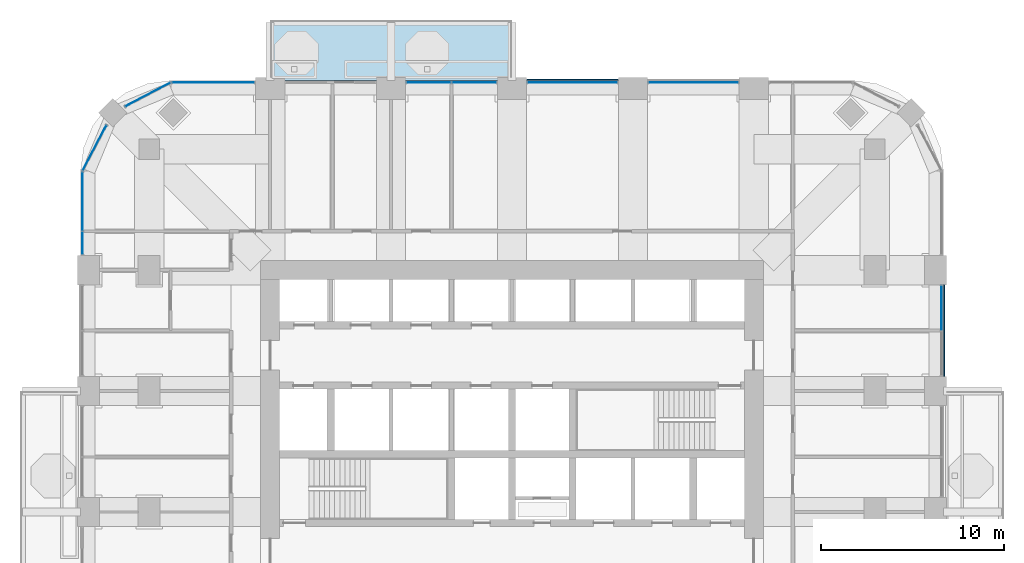
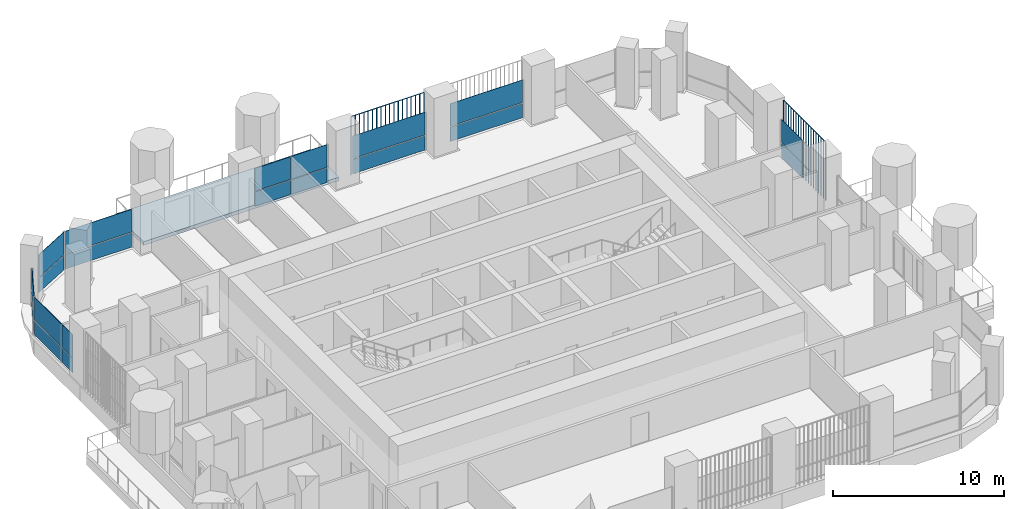
# One storey, part 10 of 20: 22 plates, 1 slab, 8 elements without a shape of their own.
"""IFC4 building model written with IfcOpenShell, lengths in metres."""

from ifc_helpers import new_model, si_unit, direction, frame, origin, origin_2d, place, context, subcontext, project, spatial, polyline, rectangle, outline, extrude, material, layer, layer_set, type_object, element, aggregate, save


model = new_model("IFC4")

# Units and contexts
model_context = context("Model", 3, precision=1e-05, world=origin(), true_north=direction((0.0, 1.0)))
body_context = subcontext(model_context, "Body", "Model", "MODEL_VIEW")
ifc_project = project(units=[si_unit("LENGTHUNIT", "METRE"), si_unit("AREAUNIT", "SQUARE_METRE"), si_unit("VOLUMEUNIT", "CUBIC_METRE"), si_unit("PLANEANGLEUNIT", "RADIAN"), si_unit("MASSUNIT", "GRAM", prefix="KILO")], contexts=[model_context])

# Site, building, storey
site_placement = place(None, origin())
site = spatial("IfcSite", under=ifc_project, at=site_placement, CompositionType="ELEMENT")
building_placement = place(site_placement, origin())
building = spatial("IfcBuilding", under=site, at=building_placement, Name="Cobogo Forest Laboratory Tower", CompositionType="ELEMENT")
storey_placement = place(building_placement, frame((0.0, 0.0, 201.89990234375)))
storey = spatial("IfcBuildingStorey", under=building, at=storey_placement, Name="L46", CompositionType="ELEMENT", Elevation=201.89990234375)

# Slab
ifc_material_1 = material(Name="Concrete HA-40 (C40/50)", Category="concrete")
ifc_layer_1 = layer(ifc_material_1, 0.25)
ifc_layer_set_1 = layer_set([ifc_layer_1], Name="Balcony slab 250")
slab_type = type_object("IfcSlabType", Name="Balcony slab 250", PredefinedType="FLOOR", material=ifc_layer_set_1)
slab_placement = place(storey_placement, frame((0.0, 0.0, -0.25)))
element("IfcSlab", 1, at=slab_placement, inside=storey, type_object=slab_type, Name="Balcony BAL-N1 L46", PredefinedType="FLOOR", context=body_context, shape_type="SweptSolid", body=[
    extrude(outline(polyline([(13.199951171875, 43.35009765625), (26.39990234375, 43.35009765625), (26.39990234375, 46.64990234375), (13.199951171875, 46.64990234375), (13.199951171875, 43.35009765625)])), origin(), (0.0, 0.0, 1.0), 0.25),
])

# Curtain wall, plates
ifc_material_2 = material(Name="Aluminium curtain wall", Category="aluminium")
curtain_wall_type = type_object("IfcCurtainWallType", Name="CW-2 unitised curtain wall, solar control glazing, laboratory floors zones C and D", PredefinedType="USERDEFINED", material=ifc_material_2)
curtain_wall_1_placement = place(storey_placement, origin())
curtain_wall_1 = element("IfcCurtainWall", 2, at=curtain_wall_1_placement, inside=storey, type_object=curtain_wall_type, Name="Curtain wall 12 L46", ObjectType="UNITISED CURTAIN WALL", PredefinedType="USERDEFINED")
ifc_material_3 = material(Name="Solar control insulated glass", Category="glass")
ifc_layer_2 = layer(ifc_material_3, 0.031982421875)
ifc_layer_set_2 = layer_set([ifc_layer_2], Name="GP-2 solar control glass unit 32")
plate_type_1 = type_object("IfcPlateType", Name="GP-2 solar control glass unit 32", PredefinedType="CURTAIN_PANEL", material=ifc_layer_set_2)
plate_1_placement = place(storey_placement, frame((49.85009765625, 30.93505859375, 0.0), z_axis=(0.0, 0.0, 1.0), x_axis=(0.0, 1.0, 0.0)))
plate_1 = element("IfcPlate", 3, at=plate_1_placement, type_object=plate_type_1, Name="CW-2 panel 2.1", PredefinedType="CURTAIN_PANEL", context=body_context, shape_type="SweptSolid", body=[
    extrude(rectangle(XDim=2.409912109375, YDim=0.031982421875, at=origin_2d()), origin(), (0.0, 0.0, 1.0), 1.02001953125),
])
plate_2_placement = place(storey_placement, frame((49.85009765625, 30.93505859375, 1.080078125), z_axis=(0.0, 0.0, 1.0), x_axis=(0.0, 1.0, 0.0)))
plate_2 = element("IfcPlate", 4, at=plate_2_placement, type_object=plate_type_1, Name="CW-2 panel 2.2", PredefinedType="CURTAIN_PANEL", context=body_context, shape_type="SweptSolid", body=[
    extrude(rectangle(XDim=2.409912109375, YDim=0.031982421875, at=origin_2d()), origin(), (0.0, 0.0, 1.0), 1.6201171875),
])
aggregate(curtain_wall_1, [plate_1, plate_2])

curtain_wall_2_placement = place(storey_placement, origin())
curtain_wall_2 = element("IfcCurtainWall", 5, at=curtain_wall_2_placement, inside=storey, type_object=curtain_wall_type, Name="Curtain wall 17 L46", ObjectType="UNITISED CURTAIN WALL", PredefinedType="USERDEFINED")
plate_3_placement = place(storey_placement, frame((36.300048828125, 43.25, 0.0), z_axis=(0.0, 0.0, 1.0), x_axis=(-1.0, 0.0, 0.0)))
plate_3 = element("IfcPlate", 6, at=plate_3_placement, type_object=plate_type_1, Name="CW-2 panel 1.1", PredefinedType="CURTAIN_PANEL", context=body_context, shape_type="SweptSolid", body=[
    extrude(rectangle(XDim=4.8798828125, YDim=0.031982421875, at=origin_2d()), origin(), (0.0, 0.0, 1.0), 1.02001953125),
])
plate_4_placement = place(storey_placement, frame((36.300048828125, 43.25, 1.080078125), z_axis=(0.0, 0.0, 1.0), x_axis=(-1.0, 0.0, 0.0)))
plate_4 = element("IfcPlate", 7, at=plate_4_placement, type_object=plate_type_1, Name="CW-2 panel 1.2", PredefinedType="CURTAIN_PANEL", context=body_context, shape_type="SweptSolid", body=[
    extrude(rectangle(XDim=4.8798828125, YDim=0.031982421875, at=origin_2d()), origin(), (0.0, 0.0, 1.0), 1.6201171875),
])
aggregate(curtain_wall_2, [plate_3, plate_4])

curtain_wall_3_placement = place(storey_placement, origin())
curtain_wall_3 = element("IfcCurtainWall", 8, at=curtain_wall_3_placement, inside=storey, type_object=curtain_wall_type, Name="Curtain wall 18 L46", ObjectType="UNITISED CURTAIN WALL", PredefinedType="USERDEFINED")
plate_5_placement = place(storey_placement, frame((29.699951171875, 43.25, 0.0), z_axis=(0.0, 0.0, 1.0), x_axis=(-1.0, 0.0, 0.0)))
plate_5 = element("IfcPlate", 9, at=plate_5_placement, type_object=plate_type_1, Name="CW-2 panel 1.1", PredefinedType="CURTAIN_PANEL", context=body_context, shape_type="SweptSolid", body=[
    extrude(rectangle(XDim=4.8798828125, YDim=0.031982421875, at=origin_2d()), origin(), (0.0, 0.0, 1.0), 1.02001953125),
])
plate_6_placement = place(storey_placement, frame((29.699951171875, 43.25, 1.080078125), z_axis=(0.0, 0.0, 1.0), x_axis=(-1.0, 0.0, 0.0)))
plate_6 = element("IfcPlate", 10, at=plate_6_placement, type_object=plate_type_1, Name="CW-2 panel 1.2", PredefinedType="CURTAIN_PANEL", context=body_context, shape_type="SweptSolid", body=[
    extrude(rectangle(XDim=4.8798828125, YDim=0.031982421875, at=origin_2d()), origin(), (0.0, 0.0, 1.0), 1.6201171875),
])
aggregate(curtain_wall_3, [plate_5, plate_6])

curtain_wall_4_placement = place(storey_placement, origin())
curtain_wall_4 = element("IfcCurtainWall", 11, at=curtain_wall_4_placement, inside=storey, type_object=curtain_wall_type, Name="Curtain wall 19 L46", ObjectType="UNITISED CURTAIN WALL", PredefinedType="USERDEFINED")
plate_7_placement = place(storey_placement, frame((24.3349609375, 43.25, 0.0), z_axis=(0.0, 0.0, 1.0), x_axis=(-1.0, 0.0, 0.0)))
plate_7 = element("IfcPlate", 12, at=plate_7_placement, type_object=plate_type_1, Name="CW-2 panel 1.1", PredefinedType="CURTAIN_PANEL", context=body_context, shape_type="SweptSolid", body=[
    extrude(rectangle(XDim=2.409912109375, YDim=0.031982421875, at=origin_2d()), origin(), (0.0, 0.0, 1.0), 1.02001953125),
])
plate_8_placement = place(storey_placement, frame((24.3349609375, 43.25, 1.080078125), z_axis=(0.0, 0.0, 1.0), x_axis=(-1.0, 0.0, 0.0)))
plate_8 = element("IfcPlate", 13, at=plate_8_placement, type_object=plate_type_1, Name="CW-2 panel 1.2", PredefinedType="CURTAIN_PANEL", context=body_context, shape_type="SweptSolid", body=[
    extrude(rectangle(XDim=2.409912109375, YDim=0.031982421875, at=origin_2d()), origin(), (0.0, 0.0, 1.0), 1.6201171875),
])
plate_9_placement = place(storey_placement, frame((21.864990234375, 43.25, 0.0), z_axis=(0.0, 0.0, 1.0), x_axis=(-1.0, 0.0, 0.0)))
plate_9 = element("IfcPlate", 14, at=plate_9_placement, type_object=plate_type_1, Name="CW-2 panel 2.1", PredefinedType="CURTAIN_PANEL", context=body_context, shape_type="SweptSolid", body=[
    extrude(rectangle(XDim=2.409912109375, YDim=0.031982421875, at=origin_2d()), origin(), (0.0, 0.0, 1.0), 1.02001953125),
])
plate_10_placement = place(storey_placement, frame((21.864990234375, 43.25, 1.080078125), z_axis=(0.0, 0.0, 1.0), x_axis=(-1.0, 0.0, 0.0)))
plate_10 = element("IfcPlate", 15, at=plate_10_placement, type_object=plate_type_1, Name="CW-2 panel 2.2", PredefinedType="CURTAIN_PANEL", context=body_context, shape_type="SweptSolid", body=[
    extrude(rectangle(XDim=2.409912109375, YDim=0.031982421875, at=origin_2d()), origin(), (0.0, 0.0, 1.0), 1.6201171875),
])
aggregate(curtain_wall_4, [plate_7, plate_8, plate_9, plate_10])

curtain_wall_5_placement = place(storey_placement, origin())
curtain_wall_5 = element("IfcCurtainWall", 16, at=curtain_wall_5_placement, inside=storey, type_object=curtain_wall_type, Name="Curtain wall 21 L46", ObjectType="UNITISED CURTAIN WALL", PredefinedType="USERDEFINED")
plate_11_placement = place(storey_placement, frame((10.10009765625, 43.25, 0.0), z_axis=(0.0, 0.0, 1.0), x_axis=(-1.0, 0.0, 0.0)))
plate_11 = element("IfcPlate", 17, at=plate_11_placement, type_object=plate_type_1, Name="CW-2 panel 1.1", PredefinedType="CURTAIN_PANEL", context=body_context, shape_type="SweptSolid", body=[
    extrude(rectangle(XDim=4.47998046875, YDim=0.031982421875, at=origin_2d()), origin(), (0.0, 0.0, 1.0), 1.02001953125),
])
plate_12_placement = place(storey_placement, frame((10.10009765625, 43.25, 1.080078125), z_axis=(0.0, 0.0, 1.0), x_axis=(-1.0, 0.0, 0.0)))
plate_12 = element("IfcPlate", 18, at=plate_12_placement, type_object=plate_type_1, Name="CW-2 panel 1.2", PredefinedType="CURTAIN_PANEL", context=body_context, shape_type="SweptSolid", body=[
    extrude(rectangle(XDim=4.47998046875, YDim=0.031982421875, at=origin_2d()), origin(), (0.0, 0.0, 1.0), 1.6201171875),
])
aggregate(curtain_wall_5, [plate_11, plate_12])

curtain_wall_6_placement = place(storey_placement, origin())
curtain_wall_6 = element("IfcCurtainWall", 19, at=curtain_wall_6_placement, inside=storey, type_object=curtain_wall_type, Name="Curtain wall 22 L46", ObjectType="UNITISED CURTAIN WALL", PredefinedType="USERDEFINED")
plate_13_placement = place(storey_placement, frame((6.5244140625, 42.581298828125, 0.0), z_axis=(0.0, 0.0, 1.0), x_axis=(-0.885686484356, -0.464283804832, 0.0)))
plate_13 = element("IfcPlate", 20, at=plate_13_placement, type_object=plate_type_1, Name="CW-2 panel 1.1", PredefinedType="CURTAIN_PANEL", context=body_context, shape_type="SweptSolid", body=[
    extrude(rectangle(XDim=2.76025390625, YDim=0.031982421875, at=origin_2d()), origin(), (0.0, 0.0, 1.0), 1.02001953125),
])
plate_14_placement = place(storey_placement, frame((6.5244140625, 42.581298828125, 1.080078125), z_axis=(0.0, 0.0, 1.0), x_axis=(-0.885686484356, -0.464283804832, 0.0)))
plate_14 = element("IfcPlate", 21, at=plate_14_placement, type_object=plate_type_1, Name="CW-2 panel 1.2", PredefinedType="CURTAIN_PANEL", context=body_context, shape_type="SweptSolid", body=[
    extrude(rectangle(XDim=2.76025390625, YDim=0.031982421875, at=origin_2d()), origin(), (0.0, 0.0, 1.0), 1.6201171875),
])
aggregate(curtain_wall_6, [plate_13, plate_14])

curtain_wall_7_placement = place(storey_placement, origin())
curtain_wall_7 = element("IfcCurtainWall", 22, at=curtain_wall_7_placement, inside=storey, type_object=curtain_wall_type, Name="Curtain wall 23 L46", ObjectType="UNITISED CURTAIN WALL", PredefinedType="USERDEFINED")
plate_15_placement = place(storey_placement, frame((3.61865234375, 39.675537109375, 0.0), z_axis=(0.0, 0.0, 1.0), x_axis=(-0.464283804832, -0.885686484356, 0.0)))
plate_15 = element("IfcPlate", 23, at=plate_15_placement, type_object=plate_type_1, Name="CW-2 panel 1.1", PredefinedType="CURTAIN_PANEL", context=body_context, shape_type="SweptSolid", body=[
    extrude(rectangle(XDim=2.76025390625, YDim=0.031982421875, at=origin_2d()), origin(), (0.0, 0.0, 1.0), 1.02001953125),
])
plate_16_placement = place(storey_placement, frame((3.61865234375, 39.675537109375, 1.080078125), z_axis=(0.0, 0.0, 1.0), x_axis=(-0.464283804832, -0.885686484356, 0.0)))
plate_16 = element("IfcPlate", 24, at=plate_16_placement, type_object=plate_type_1, Name="CW-2 panel 1.2", PredefinedType="CURTAIN_PANEL", context=body_context, shape_type="SweptSolid", body=[
    extrude(rectangle(XDim=2.76025390625, YDim=0.031982421875, at=origin_2d()), origin(), (0.0, 0.0, 1.0), 1.6201171875),
])
aggregate(curtain_wall_7, [plate_15, plate_16])

curtain_wall_8_placement = place(storey_placement, origin())
curtain_wall_8 = element("IfcCurtainWall", 25, at=curtain_wall_8_placement, inside=storey, type_object=curtain_wall_type, Name="Curtain wall 24 L46", ObjectType="UNITISED CURTAIN WALL", PredefinedType="USERDEFINED")
plate_17_placement = place(storey_placement, frame((2.949951171875, 36.74755859375, 0.0), z_axis=(0.0, 0.0, 1.0), x_axis=(0.0, -1.0, 0.0)))
plate_17 = element("IfcPlate", 26, at=plate_17_placement, type_object=plate_type_1, Name="CW-2 panel 1.1", PredefinedType="CURTAIN_PANEL", context=body_context, shape_type="SweptSolid", body=[
    extrude(rectangle(XDim=3.18505859375, YDim=0.031982421875, at=origin_2d()), origin(), (0.0, 0.0, 1.0), 1.02001953125),
])
plate_18_placement = place(storey_placement, frame((2.949951171875, 36.74755859375, 1.080078125), z_axis=(0.0, 0.0, 1.0), x_axis=(0.0, -1.0, 0.0)))
plate_18 = element("IfcPlate", 27, at=plate_18_placement, type_object=plate_type_1, Name="CW-2 panel 1.2", PredefinedType="CURTAIN_PANEL", context=body_context, shape_type="SweptSolid", body=[
    extrude(rectangle(XDim=3.18505859375, YDim=0.031982421875, at=origin_2d()), origin(), (0.0, 0.0, 1.0), 1.6201171875),
])
plate_19_placement = place(storey_placement, frame((2.949951171875, 34.4775390625, 0.0), z_axis=(0.0, 0.0, 1.0), x_axis=(0.0, -1.0, 0.0)))
plate_19 = element("IfcPlate", 28, at=plate_19_placement, type_object=plate_type_1, Name="CW-2 panel 2.1", PredefinedType="CURTAIN_PANEL", context=body_context, shape_type="SweptSolid", body=[
    extrude(rectangle(XDim=1.235107421875, YDim=0.031982421875, at=origin_2d()), origin(), (0.0, 0.0, 1.0), 1.02001953125),
])
plate_20_placement = place(storey_placement, frame((2.949951171875, 34.4775390625, 1.080078125), z_axis=(0.0, 0.0, 1.0), x_axis=(0.0, -1.0, 0.0)))
plate_20 = element("IfcPlate", 29, at=plate_20_placement, type_object=plate_type_1, Name="CW-2 panel 2.2", PredefinedType="CURTAIN_PANEL", context=body_context, shape_type="SweptSolid", body=[
    extrude(rectangle(XDim=1.235107421875, YDim=0.031982421875, at=origin_2d()), origin(), (0.0, 0.0, 1.0), 1.6201171875),
])
aggregate(curtain_wall_8, [plate_17, plate_18, plate_19, plate_20])

# Plates
ifc_material_4 = material(Name="Terracotta", Category="masonry")
plate_type_2 = type_object("IfcPlateType", Name="TB1 terracotta baguette screen", PredefinedType="USERDEFINED", material=ifc_material_4)
plate_21_placement = place(storey_placement, frame((49.977783203125, 27.231201171875, -0.14990234375)))
element("IfcPlate", 30, at=plate_21_placement, inside=storey, type_object=plate_type_2, Name="Baguette screen E3 L46", ObjectType="BAGUETTE SCREEN", PredefinedType="USERDEFINED", context=body_context, shape_type="SweptSolid", body=[
    extrude(outline(polyline([(0.02880859375, 0.011962890625), (0.011962890625, 0.02880859375), (-0.011962890625, 0.02880859375), (-0.02880859375, 0.011962890625), (-0.02880859375, -0.011962890625), (-0.011962890625, -0.02880859375), (0.011962890625, -0.02880859375), (0.02880859375, -0.011962890625), (0.02880859375, 0.011962890625)])), frame((0.0, 0.0, 4.168701171875), z_axis=(0.0, 1.0, 0.0), x_axis=(-1.0, 0.0, 0.0)), (0.0, 0.0, 1.0), 4.9375),
    extrude(outline(polyline([(0.02880859375, 0.011962890625), (0.011962890625, 0.02880859375), (-0.011962890625, 0.02880859375), (-0.02880859375, 0.011962890625), (-0.02880859375, -0.011962890625), (-0.011962890625, -0.02880859375), (0.011962890625, -0.02880859375), (0.02880859375, -0.011962890625), (0.02880859375, 0.011962890625)])), origin(), (0.0, 0.0, 1.0), 4.137451171875),
    extrude(outline(polyline([(0.02880859375, 0.011962890625), (0.011962890625, 0.02880859375), (-0.011962890625, 0.02880859375), (-0.02880859375, 0.011962890625), (-0.02880859375, -0.011962890625), (-0.011962890625, -0.02880859375), (0.011962890625, -0.02880859375), (0.02880859375, -0.011962890625), (0.02880859375, 0.011962890625)])), frame((0.0, 0.29052734375, 0.0)), (0.0, 0.0, 1.0), 4.137451171875),
    extrude(outline(polyline([(0.02880859375, 0.011962890625), (0.011962890625, 0.02880859375), (-0.011962890625, 0.02880859375), (-0.02880859375, 0.011962890625), (-0.02880859375, -0.011962890625), (-0.011962890625, -0.02880859375), (0.011962890625, -0.02880859375), (0.02880859375, -0.011962890625), (0.02880859375, 0.011962890625)])), frame((0.0, 0.580810546875, 0.0)), (0.0, 0.0, 1.0), 4.137451171875),
    extrude(outline(polyline([(0.02880859375, 0.011962890625), (0.011962890625, 0.02880859375), (-0.011962890625, 0.02880859375), (-0.02880859375, 0.011962890625), (-0.02880859375, -0.011962890625), (-0.011962890625, -0.02880859375), (0.011962890625, -0.02880859375), (0.02880859375, -0.011962890625), (0.02880859375, 0.011962890625)])), frame((0.0, 0.871337890625, 0.0)), (0.0, 0.0, 1.0), 4.137451171875),
    extrude(outline(polyline([(0.02880859375, 0.011962890625), (0.011962890625, 0.02880859375), (-0.011962890625, 0.02880859375), (-0.02880859375, 0.011962890625), (-0.02880859375, -0.011962890625), (-0.011962890625, -0.02880859375), (0.011962890625, -0.02880859375), (0.02880859375, -0.011962890625), (0.02880859375, 0.011962890625)])), frame((0.0, 1.161865234375, 0.0)), (0.0, 0.0, 1.0), 4.137451171875),
    extrude(outline(polyline([(0.02880859375, 0.011962890625), (0.011962890625, 0.02880859375), (-0.011962890625, 0.02880859375), (-0.02880859375, 0.011962890625), (-0.02880859375, -0.011962890625), (-0.011962890625, -0.02880859375), (0.011962890625, -0.02880859375), (0.02880859375, -0.011962890625), (0.02880859375, 0.011962890625)])), frame((0.0, 1.4521484375, 0.0)), (0.0, 0.0, 1.0), 4.137451171875),
    extrude(outline(polyline([(0.02880859375, 0.011962890625), (0.011962890625, 0.02880859375), (-0.011962890625, 0.02880859375), (-0.02880859375, 0.011962890625), (-0.02880859375, -0.011962890625), (-0.011962890625, -0.02880859375), (0.011962890625, -0.02880859375), (0.02880859375, -0.011962890625), (0.02880859375, 0.011962890625)])), frame((0.0, 1.74267578125, 0.0)), (0.0, 0.0, 1.0), 4.137451171875),
    extrude(outline(polyline([(0.02880859375, 0.011962890625), (0.011962890625, 0.02880859375), (-0.011962890625, 0.02880859375), (-0.02880859375, 0.011962890625), (-0.02880859375, -0.011962890625), (-0.011962890625, -0.02880859375), (0.011962890625, -0.02880859375), (0.02880859375, -0.011962890625), (0.02880859375, 0.011962890625)])), frame((0.0, 2.033203125, 0.0)), (0.0, 0.0, 1.0), 4.137451171875),
    extrude(outline(polyline([(0.02880859375, 0.011962890625), (0.011962890625, 0.02880859375), (-0.011962890625, 0.02880859375), (-0.02880859375, 0.011962890625), (-0.02880859375, -0.011962890625), (-0.011962890625, -0.02880859375), (0.011962890625, -0.02880859375), (0.02880859375, -0.011962890625), (0.02880859375, 0.011962890625)])), frame((0.0, 2.323486328125, 0.0)), (0.0, 0.0, 1.0), 4.137451171875),
    extrude(outline(polyline([(0.02880859375, 0.011962890625), (0.011962890625, 0.02880859375), (-0.011962890625, 0.02880859375), (-0.02880859375, 0.011962890625), (-0.02880859375, -0.011962890625), (-0.011962890625, -0.02880859375), (0.011962890625, -0.02880859375), (0.02880859375, -0.011962890625), (0.02880859375, 0.011962890625)])), frame((0.0, 2.614013671875, 0.0)), (0.0, 0.0, 1.0), 4.137451171875),
    extrude(outline(polyline([(0.02880859375, 0.011962890625), (0.011962890625, 0.02880859375), (-0.011962890625, 0.02880859375), (-0.02880859375, 0.011962890625), (-0.02880859375, -0.011962890625), (-0.011962890625, -0.02880859375), (0.011962890625, -0.02880859375), (0.02880859375, -0.011962890625), (0.02880859375, 0.011962890625)])), frame((0.0, 2.904296875, 0.0)), (0.0, 0.0, 1.0), 4.137451171875),
    extrude(outline(polyline([(0.02880859375, 0.011962890625), (0.011962890625, 0.02880859375), (-0.011962890625, 0.02880859375), (-0.02880859375, 0.011962890625), (-0.02880859375, -0.011962890625), (-0.011962890625, -0.02880859375), (0.011962890625, -0.02880859375), (0.02880859375, -0.011962890625), (0.02880859375, 0.011962890625)])), frame((0.0, 3.19482421875, 0.0)), (0.0, 0.0, 1.0), 4.137451171875),
    extrude(outline(polyline([(0.02880859375, 0.011962890625), (0.011962890625, 0.02880859375), (-0.011962890625, 0.02880859375), (-0.02880859375, 0.011962890625), (-0.02880859375, -0.011962890625), (-0.011962890625, -0.02880859375), (0.011962890625, -0.02880859375), (0.02880859375, -0.011962890625), (0.02880859375, 0.011962890625)])), frame((0.0, 3.4853515625, 0.0)), (0.0, 0.0, 1.0), 4.137451171875),
    extrude(outline(polyline([(0.02880859375, 0.011962890625), (0.011962890625, 0.02880859375), (-0.011962890625, 0.02880859375), (-0.02880859375, 0.011962890625), (-0.02880859375, -0.011962890625), (-0.011962890625, -0.02880859375), (0.011962890625, -0.02880859375), (0.02880859375, -0.011962890625), (0.02880859375, 0.011962890625)])), frame((0.0, 3.775634765625, 0.0)), (0.0, 0.0, 1.0), 4.137451171875),
    extrude(outline(polyline([(0.02880859375, 0.011962890625), (0.011962890625, 0.02880859375), (-0.011962890625, 0.02880859375), (-0.02880859375, 0.011962890625), (-0.02880859375, -0.011962890625), (-0.011962890625, -0.02880859375), (0.011962890625, -0.02880859375), (0.02880859375, -0.011962890625), (0.02880859375, 0.011962890625)])), frame((0.0, 4.066162109375, 0.0)), (0.0, 0.0, 1.0), 4.137451171875),
    extrude(outline(polyline([(0.02880859375, 0.011962890625), (0.011962890625, 0.02880859375), (-0.011962890625, 0.02880859375), (-0.02880859375, 0.011962890625), (-0.02880859375, -0.011962890625), (-0.011962890625, -0.02880859375), (0.011962890625, -0.02880859375), (0.02880859375, -0.011962890625), (0.02880859375, 0.011962890625)])), frame((0.0, 4.356689453125, 0.0)), (0.0, 0.0, 1.0), 4.137451171875),
    extrude(outline(polyline([(0.02880859375, 0.011962890625), (0.011962890625, 0.02880859375), (-0.011962890625, 0.02880859375), (-0.02880859375, 0.011962890625), (-0.02880859375, -0.011962890625), (-0.011962890625, -0.02880859375), (0.011962890625, -0.02880859375), (0.02880859375, -0.011962890625), (0.02880859375, 0.011962890625)])), frame((0.0, 4.64697265625, 0.0)), (0.0, 0.0, 1.0), 4.137451171875),
    extrude(outline(polyline([(0.02880859375, 0.011962890625), (0.011962890625, 0.02880859375), (-0.011962890625, 0.02880859375), (-0.02880859375, 0.011962890625), (-0.02880859375, -0.011962890625), (-0.011962890625, -0.02880859375), (0.011962890625, -0.02880859375), (0.02880859375, -0.011962890625), (0.02880859375, 0.011962890625)])), frame((0.0, 4.9375, 0.0)), (0.0, 0.0, 1.0), 4.137451171875),
])
plate_22_placement = place(storey_placement, frame((27.231201171875, 43.3779296875, -0.14990234375)))
element("IfcPlate", 31, at=plate_22_placement, inside=storey, type_object=plate_type_2, Name="Baguette screen N3 L46", ObjectType="BAGUETTE SCREEN", PredefinedType="USERDEFINED", context=body_context, shape_type="SweptSolid", body=[
    extrude(outline(polyline([(0.02880859375, 0.011962890625), (0.011962890625, 0.02880859375), (-0.011962890625, 0.02880859375), (-0.02880859375, 0.011962890625), (-0.02880859375, -0.011962890625), (-0.011962890625, -0.02880859375), (0.011962890625, -0.02880859375), (0.02880859375, -0.011962890625), (0.02880859375, 0.011962890625)])), frame((0.0, 0.0, 4.168701171875), z_axis=(1.0, 0.0, 0.0), x_axis=(0.0, 1.0, 0.0)), (0.0, 0.0, 1.0), 4.9375),
    extrude(outline(polyline([(0.02880859375, 0.011962890625), (0.011962890625, 0.02880859375), (-0.011962890625, 0.02880859375), (-0.02880859375, 0.011962890625), (-0.02880859375, -0.011962890625), (-0.011962890625, -0.02880859375), (0.011962890625, -0.02880859375), (0.02880859375, -0.011962890625), (0.02880859375, 0.011962890625)])), origin(), (0.0, 0.0, 1.0), 4.137451171875),
    extrude(outline(polyline([(0.02880859375, 0.011962890625), (0.011962890625, 0.02880859375), (-0.011962890625, 0.02880859375), (-0.02880859375, 0.011962890625), (-0.02880859375, -0.011962890625), (-0.011962890625, -0.02880859375), (0.011962890625, -0.02880859375), (0.02880859375, -0.011962890625), (0.02880859375, 0.011962890625)])), frame((0.29052734375, 0.0, 0.0)), (0.0, 0.0, 1.0), 4.137451171875),
    extrude(outline(polyline([(0.02880859375, 0.011962890625), (0.011962890625, 0.02880859375), (-0.011962890625, 0.02880859375), (-0.02880859375, 0.011962890625), (-0.02880859375, -0.011962890625), (-0.011962890625, -0.02880859375), (0.011962890625, -0.02880859375), (0.02880859375, -0.011962890625), (0.02880859375, 0.011962890625)])), frame((0.580810546875, 0.0, 0.0)), (0.0, 0.0, 1.0), 4.137451171875),
    extrude(outline(polyline([(0.02880859375, 0.011962890625), (0.011962890625, 0.02880859375), (-0.011962890625, 0.02880859375), (-0.02880859375, 0.011962890625), (-0.02880859375, -0.011962890625), (-0.011962890625, -0.02880859375), (0.011962890625, -0.02880859375), (0.02880859375, -0.011962890625), (0.02880859375, 0.011962890625)])), frame((0.871337890625, 0.0, 0.0)), (0.0, 0.0, 1.0), 4.137451171875),
    extrude(outline(polyline([(0.02880859375, 0.011962890625), (0.011962890625, 0.02880859375), (-0.011962890625, 0.02880859375), (-0.02880859375, 0.011962890625), (-0.02880859375, -0.011962890625), (-0.011962890625, -0.02880859375), (0.011962890625, -0.02880859375), (0.02880859375, -0.011962890625), (0.02880859375, 0.011962890625)])), frame((1.161865234375, 0.0, 0.0)), (0.0, 0.0, 1.0), 4.137451171875),
    extrude(outline(polyline([(0.02880859375, 0.011962890625), (0.011962890625, 0.02880859375), (-0.011962890625, 0.02880859375), (-0.02880859375, 0.011962890625), (-0.02880859375, -0.011962890625), (-0.011962890625, -0.02880859375), (0.011962890625, -0.02880859375), (0.02880859375, -0.011962890625), (0.02880859375, 0.011962890625)])), frame((1.4521484375, 0.0, 0.0)), (0.0, 0.0, 1.0), 4.137451171875),
    extrude(outline(polyline([(0.02880859375, 0.011962890625), (0.011962890625, 0.02880859375), (-0.011962890625, 0.02880859375), (-0.02880859375, 0.011962890625), (-0.02880859375, -0.011962890625), (-0.011962890625, -0.02880859375), (0.011962890625, -0.02880859375), (0.02880859375, -0.011962890625), (0.02880859375, 0.011962890625)])), frame((1.74267578125, 0.0, 0.0)), (0.0, 0.0, 1.0), 4.137451171875),
    extrude(outline(polyline([(0.02880859375, 0.011962890625), (0.011962890625, 0.02880859375), (-0.011962890625, 0.02880859375), (-0.02880859375, 0.011962890625), (-0.02880859375, -0.011962890625), (-0.011962890625, -0.02880859375), (0.011962890625, -0.02880859375), (0.02880859375, -0.011962890625), (0.02880859375, 0.011962890625)])), frame((2.033203125, 0.0, 0.0)), (0.0, 0.0, 1.0), 4.137451171875),
    extrude(outline(polyline([(0.02880859375, 0.011962890625), (0.011962890625, 0.02880859375), (-0.011962890625, 0.02880859375), (-0.02880859375, 0.011962890625), (-0.02880859375, -0.011962890625), (-0.011962890625, -0.02880859375), (0.011962890625, -0.02880859375), (0.02880859375, -0.011962890625), (0.02880859375, 0.011962890625)])), frame((2.323486328125, 0.0, 0.0)), (0.0, 0.0, 1.0), 4.137451171875),
    extrude(outline(polyline([(0.02880859375, 0.011962890625), (0.011962890625, 0.02880859375), (-0.011962890625, 0.02880859375), (-0.02880859375, 0.011962890625), (-0.02880859375, -0.011962890625), (-0.011962890625, -0.02880859375), (0.011962890625, -0.02880859375), (0.02880859375, -0.011962890625), (0.02880859375, 0.011962890625)])), frame((2.614013671875, 0.0, 0.0)), (0.0, 0.0, 1.0), 4.137451171875),
    extrude(outline(polyline([(0.02880859375, 0.011962890625), (0.011962890625, 0.02880859375), (-0.011962890625, 0.02880859375), (-0.02880859375, 0.011962890625), (-0.02880859375, -0.011962890625), (-0.011962890625, -0.02880859375), (0.011962890625, -0.02880859375), (0.02880859375, -0.011962890625), (0.02880859375, 0.011962890625)])), frame((2.904296875, 0.0, 0.0)), (0.0, 0.0, 1.0), 4.137451171875),
    extrude(outline(polyline([(0.02880859375, 0.011962890625), (0.011962890625, 0.02880859375), (-0.011962890625, 0.02880859375), (-0.02880859375, 0.011962890625), (-0.02880859375, -0.011962890625), (-0.011962890625, -0.02880859375), (0.011962890625, -0.02880859375), (0.02880859375, -0.011962890625), (0.02880859375, 0.011962890625)])), frame((3.19482421875, 0.0, 0.0)), (0.0, 0.0, 1.0), 4.137451171875),
    extrude(outline(polyline([(0.02880859375, 0.011962890625), (0.011962890625, 0.02880859375), (-0.011962890625, 0.02880859375), (-0.02880859375, 0.011962890625), (-0.02880859375, -0.011962890625), (-0.011962890625, -0.02880859375), (0.011962890625, -0.02880859375), (0.02880859375, -0.011962890625), (0.02880859375, 0.011962890625)])), frame((3.4853515625, 0.0, 0.0)), (0.0, 0.0, 1.0), 4.137451171875),
    extrude(outline(polyline([(0.02880859375, 0.011962890625), (0.011962890625, 0.02880859375), (-0.011962890625, 0.02880859375), (-0.02880859375, 0.011962890625), (-0.02880859375, -0.011962890625), (-0.011962890625, -0.02880859375), (0.011962890625, -0.02880859375), (0.02880859375, -0.011962890625), (0.02880859375, 0.011962890625)])), frame((3.775634765625, 0.0, 0.0)), (0.0, 0.0, 1.0), 4.137451171875),
    extrude(outline(polyline([(0.02880859375, 0.011962890625), (0.011962890625, 0.02880859375), (-0.011962890625, 0.02880859375), (-0.02880859375, 0.011962890625), (-0.02880859375, -0.011962890625), (-0.011962890625, -0.02880859375), (0.011962890625, -0.02880859375), (0.02880859375, -0.011962890625), (0.02880859375, 0.011962890625)])), frame((4.066162109375, 0.0, 0.0)), (0.0, 0.0, 1.0), 4.137451171875),
    extrude(outline(polyline([(0.02880859375, 0.011962890625), (0.011962890625, 0.02880859375), (-0.011962890625, 0.02880859375), (-0.02880859375, 0.011962890625), (-0.02880859375, -0.011962890625), (-0.011962890625, -0.02880859375), (0.011962890625, -0.02880859375), (0.02880859375, -0.011962890625), (0.02880859375, 0.011962890625)])), frame((4.356689453125, 0.0, 0.0)), (0.0, 0.0, 1.0), 4.137451171875),
    extrude(outline(polyline([(0.02880859375, 0.011962890625), (0.011962890625, 0.02880859375), (-0.011962890625, 0.02880859375), (-0.02880859375, 0.011962890625), (-0.02880859375, -0.011962890625), (-0.011962890625, -0.02880859375), (0.011962890625, -0.02880859375), (0.02880859375, -0.011962890625), (0.02880859375, 0.011962890625)])), frame((4.64697265625, 0.0, 0.0)), (0.0, 0.0, 1.0), 4.137451171875),
    extrude(outline(polyline([(0.02880859375, 0.011962890625), (0.011962890625, 0.02880859375), (-0.011962890625, 0.02880859375), (-0.02880859375, 0.011962890625), (-0.02880859375, -0.011962890625), (-0.011962890625, -0.02880859375), (0.011962890625, -0.02880859375), (0.02880859375, -0.011962890625), (0.02880859375, 0.011962890625)])), frame((4.9375, 0.0, 0.0)), (0.0, 0.0, 1.0), 4.137451171875),
])

save(model, "model.ifc")
